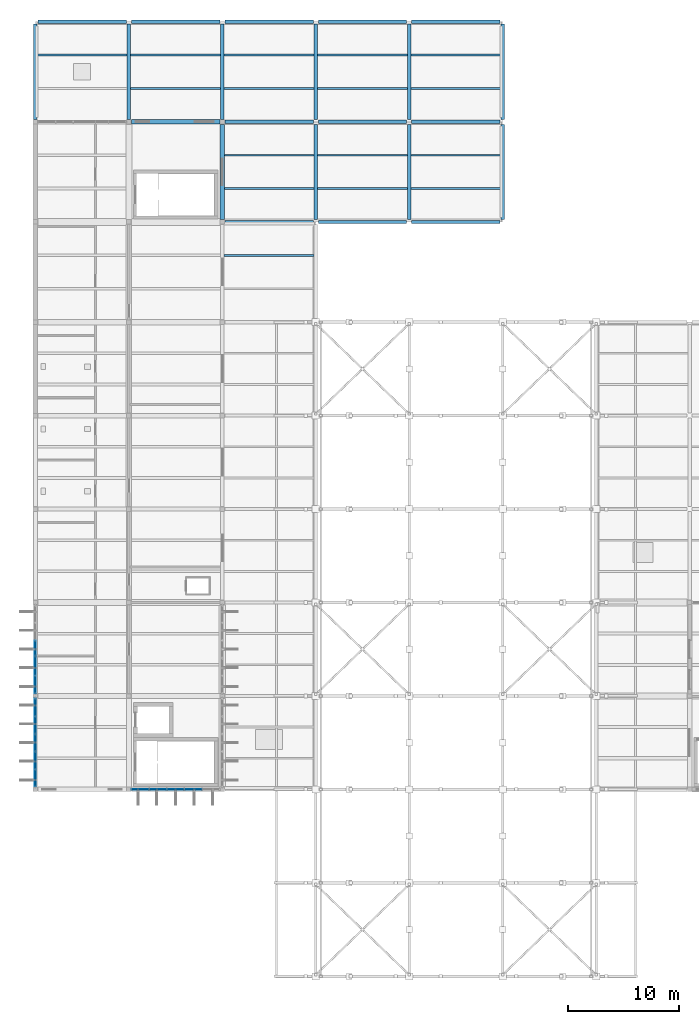
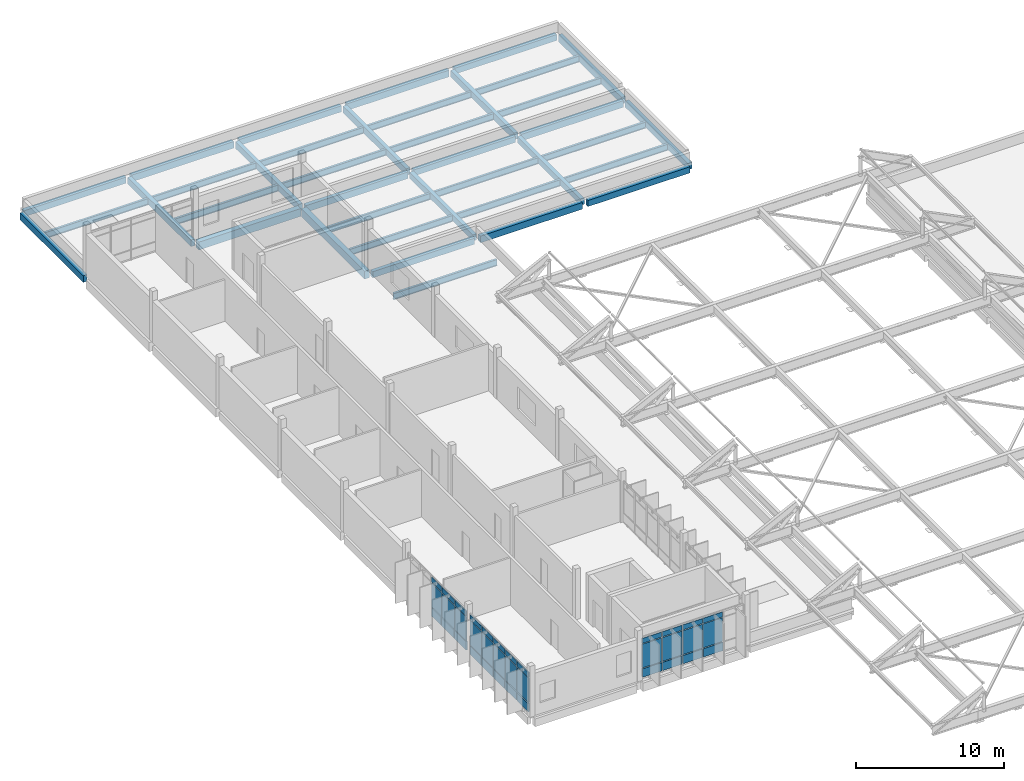
# One storey, part 25 of 41: 38 beams, 36 plates, 3 elements without a shape of their own.
"""IFC4 building model written with IfcOpenShell, lengths in metres."""

from ifc_helpers import new_model, si_unit, direction, frame, origin, origin_2d, place, context, subcontext, project, spatial, rectangle, i_section, extrude, material, layer, layer_set, material_profile, profile_set, type_object, element, aggregate, save


model = new_model("IFC4")

# Units and contexts
model_context = context("Model", 3, precision=1e-05, world=origin(), true_north=direction((0.0, 1.0)))
body_context = subcontext(model_context, "Body", "Model", "MODEL_VIEW")
ifc_project = project(units=[si_unit("LENGTHUNIT", "METRE"), si_unit("AREAUNIT", "SQUARE_METRE"), si_unit("VOLUMEUNIT", "CUBIC_METRE"), si_unit("PLANEANGLEUNIT", "RADIAN"), si_unit("MASSUNIT", "GRAM", prefix="KILO")], contexts=[model_context])

# Site, building, storey
site_placement = place(None, origin())
site = spatial("IfcSite", under=ifc_project, at=site_placement, CompositionType="ELEMENT")
building_placement = place(site_placement, origin())
building = spatial("IfcBuilding", under=site, at=building_placement, Name="Vireocrest Preparatory School", CompositionType="ELEMENT")
storey_placement = place(building_placement, frame((0.0, 0.0, 21.60009765625)))
storey = spatial("IfcBuildingStorey", under=building, at=storey_placement, Name="L05", CompositionType="ELEMENT", Elevation=21.60009765625)

# Beams
ifc_material_1 = material(Name="Structural steel ASTM A992 Grade 50", Category="steel")
ifc_material_profile_1 = material_profile(ifc_material_1, i_section(OverallWidth=0.166015625, OverallDepth=0.529052734375, WebThickness=0.009765625, FlangeThickness=0.013671875, FilletRadius=0.014892578125, at=origin_2d()), Name="W21X50")
ifc_profile_set_1 = profile_set([ifc_material_profile_1], Name="Structural steel ASTM A992 Grade 50")
beam_type_1 = type_object("IfcBeamType", Name="Pavilion Roof Joist W21X50", PredefinedType="JOIST", material=ifc_profile_set_1)
beam_1_placement = place(storey_placement, frame((42.14990234375, 109.800048828125, -0.484619140625), z_axis=(1.0, 0.0, 0.0), x_axis=(0.0, 1.0, 0.0)))
element("IfcBeam", 1, at=beam_1_placement, inside=storey, type_object=beam_type_1, Name="Secondary Joist SJ1 L05-1628", PredefinedType="JOIST", context=body_context, shape_type="SweptSolid", body=[
    extrude(i_section(OverallWidth=0.166015625, OverallDepth=0.529052734375, WebThickness=0.009765625, FlangeThickness=0.013671875, FilletRadius=0.014892578125, at=origin_2d()), origin(), (0.0, 0.0, 1.0), 8.10009765625),
])
for number, where, z_axis, x_axis, name in (
    (2, (50.550048828125, 106.800048828125, -0.484619140625), (1.0, 0.0, 0.0), (0.0, 1.0, 0.0), "Secondary Joist SJ1 L05-1639"),
    (3, (50.550048828125, 109.800048828125, -0.484619140625), (1.0, 0.0, 0.0), (0.0, 1.0, 0.0), "Secondary Joist SJ1 L05-1640"),
):
    element("IfcBeam", number, at=place(storey_placement, frame(where, z_axis=z_axis, x_axis=x_axis)), inside=storey, type_object=beam_type_1, Name=name, PredefinedType="JOIST", context=body_context, shape_type="SweptSolid", body=[
        extrude(i_section(OverallWidth=0.166015625, OverallDepth=0.529052734375, WebThickness=0.009765625, FlangeThickness=0.013671875, FilletRadius=0.014892578125, at=origin_2d()), origin(), (0.0, 0.0, 1.0), 8.099853515625),
    ])
beam_2_placement = place(storey_placement, frame((58.97509765625, 91.800048828125, -0.484619140625), z_axis=(1.0, 0.0, 0.0), x_axis=(0.0, 1.0, 0.0)))
element("IfcBeam", 4, at=beam_2_placement, inside=storey, type_object=beam_type_1, Name="Secondary Joist SJ1 L05-1652", PredefinedType="JOIST", context=body_context, shape_type="SweptSolid", body=[
    extrude(i_section(OverallWidth=0.166015625, OverallDepth=0.529052734375, WebThickness=0.009765625, FlangeThickness=0.013671875, FilletRadius=0.014892578125, at=origin_2d()), origin(), (0.0, 0.0, 1.0), 8.074951171875),
])
for number, where, z_axis, x_axis, name in (
    (5, (59.0, 97.800048828125, -0.484619140625), (1.0, 0.0, 0.0), (0.0, 1.0, 0.0), "Secondary Joist SJ1 L05-1653"),
    (6, (59.0, 100.800048828125, -0.484619140625), (1.0, 0.0, 0.0), (0.0, 1.0, 0.0), "Secondary Joist SJ1 L05-1654"),
):
    element("IfcBeam", number, at=place(storey_placement, frame(where, z_axis=z_axis, x_axis=x_axis)), inside=storey, type_object=beam_type_1, Name=name, PredefinedType="JOIST", context=body_context, shape_type="SweptSolid", body=[
        extrude(i_section(OverallWidth=0.166015625, OverallDepth=0.529052734375, WebThickness=0.009765625, FlangeThickness=0.013671875, FilletRadius=0.014892578125, at=origin_2d()), origin(), (0.0, 0.0, 1.0), 8.050048828125),
    ])
for number, where, z_axis, x_axis, name in (
    (7, (58.949951171875, 106.800048828125, -0.484619140625), (1.0, 0.0, 0.0), (0.0, 1.0, 0.0), "Secondary Joist SJ1 L05-1655"),
    (8, (58.949951171875, 109.800048828125, -0.484619140625), (1.0, 0.0, 0.0), (0.0, 1.0, 0.0), "Secondary Joist SJ1 L05-1656"),
):
    element("IfcBeam", number, at=place(storey_placement, frame(where, z_axis=z_axis, x_axis=x_axis)), inside=storey, type_object=beam_type_1, Name=name, PredefinedType="JOIST", context=body_context, shape_type="SweptSolid", body=[
        extrude(i_section(OverallWidth=0.166015625, OverallDepth=0.529052734375, WebThickness=0.009765625, FlangeThickness=0.013671875, FilletRadius=0.014892578125, at=origin_2d()), origin(), (0.0, 0.0, 1.0), 8.10009765625),
    ])
for number, where, z_axis, x_axis, name in (
    (9, (67.35009765625, 97.800048828125, -0.484619140625), (1.0, 0.0, 0.0), (0.0, 1.0, 0.0), "Secondary Joist SJ1 L05-1657"),
    (10, (67.35009765625, 100.800048828125, -0.484619140625), (1.0, 0.0, 0.0), (0.0, 1.0, 0.0), "Secondary Joist SJ1 L05-1658"),
    (11, (67.35009765625, 106.800048828125, -0.484619140625), (1.0, 0.0, 0.0), (0.0, 1.0, 0.0), "Secondary Joist SJ1 L05-1659"),
    (12, (67.35009765625, 109.800048828125, -0.484619140625), (1.0, 0.0, 0.0), (0.0, 1.0, 0.0), "Secondary Joist SJ1 L05-1660"),
):
    element("IfcBeam", number, at=place(storey_placement, frame(where, z_axis=z_axis, x_axis=x_axis)), inside=storey, type_object=beam_type_1, Name=name, PredefinedType="JOIST", context=body_context, shape_type="SweptSolid", body=[
        extrude(i_section(OverallWidth=0.166015625, OverallDepth=0.529052734375, WebThickness=0.009765625, FlangeThickness=0.013671875, FilletRadius=0.014892578125, at=origin_2d()), origin(), (0.0, 0.0, 1.0), 8.099853515625),
    ])
for number, where, z_axis, x_axis, name in (
    (13, (75.75, 97.800048828125, -0.484619140625), (1.0, 0.0, 0.0), (0.0, 1.0, 0.0), "Secondary Joist SJ1 L05-1661"),
    (14, (75.75, 100.800048828125, -0.484619140625), (1.0, 0.0, 0.0), (0.0, 1.0, 0.0), "Secondary Joist SJ1 L05-1662"),
    (15, (75.75, 106.800048828125, -0.484619140625), (1.0, 0.0, 0.0), (0.0, 1.0, 0.0), "Secondary Joist SJ1 L05-1663"),
    (16, (75.75, 109.800048828125, -0.484619140625), (1.0, 0.0, 0.0), (0.0, 1.0, 0.0), "Secondary Joist SJ1 L05-1664"),
):
    element("IfcBeam", number, at=place(storey_placement, frame(where, z_axis=z_axis, x_axis=x_axis)), inside=storey, type_object=beam_type_1, Name=name, PredefinedType="JOIST", context=body_context, shape_type="SweptSolid", body=[
        extrude(i_section(OverallWidth=0.166015625, OverallDepth=0.529052734375, WebThickness=0.009765625, FlangeThickness=0.013671875, FilletRadius=0.014892578125, at=origin_2d()), origin(), (0.0, 0.0, 1.0), 8.10009765625),
    ])
ifc_material_2 = material(Name="Concrete 40 MPa", Category="concrete")
ifc_material_profile_2 = material_profile(ifc_material_2, rectangle(XDim=0.39990234375, YDim=0.64990234375, at=origin_2d()), Name="RC 400x650")
ifc_profile_set_2 = profile_set([ifc_material_profile_2], Name="Concrete 40 MPa")
beam_type_2 = type_object("IfcBeamType", Name="RC Laboratory Girder 400x650", PredefinedType="BEAM", material=ifc_profile_set_2)
beam_3_placement = place(storey_placement, frame((50.625, 103.800048828125, -0.585205078125), z_axis=(1.0, 0.0, 0.0), x_axis=(0.0, 1.0, 0.0)))
element("IfcBeam", 17, at=beam_3_placement, inside=storey, type_object=beam_type_2, Name="Primary Girder B07 L05-1553", PredefinedType="BEAM", context=body_context, shape_type="SweptSolid", body=[
    extrude(rectangle(XDim=0.39990234375, YDim=0.64990234375, at=origin_2d()), origin(), (0.0, 0.0, 1.0), 7.949951171875),
])
beam_4_placement = place(storey_placement, frame((58.800048828125, 95.02490234375, -0.585205078125), z_axis=(0.0, 1.0, 0.0), x_axis=(-1.0, 0.0, 0.0)))
element("IfcBeam", 18, at=beam_4_placement, inside=storey, type_object=beam_type_2, Name="Primary Girder B07 L05-1584", PredefinedType="BEAM", context=body_context, shape_type="SweptSolid", body=[
    extrude(rectangle(XDim=0.39990234375, YDim=0.64990234375, at=origin_2d()), origin(), (0.0, 0.0, 1.0), 8.550048828125),
])
ifc_material_profile_3 = material_profile(ifc_material_2, rectangle(XDim=0.300048828125, YDim=0.5, at=origin_2d()), Name="RC 300x500")
ifc_profile_set_3 = profile_set([ifc_material_profile_3], Name="Concrete 40 MPa")
beam_type_3 = type_object("IfcBeamType", Name="RC Roof Edge Beam 300x500", PredefinedType="BEAM", material=ifc_profile_set_3)
beam_5_placement = place(storey_placement, frame((59.02490234375, 94.800048828125, -0.47021484375), z_axis=(1.0, 0.0, 0.0), x_axis=(0.0, 1.0, 0.0)))
element("IfcBeam", 19, at=beam_5_placement, inside=storey, type_object=beam_type_3, Name="Primary Girder B01 L05-1549", PredefinedType="BEAM", context=body_context, shape_type="SweptSolid", body=[
    extrude(rectangle(XDim=0.300048828125, YDim=0.5, at=origin_2d()), origin(), (0.0, 0.0, 1.0), 7.9501953125),
])
for number, where, z_axis, x_axis, name in (
    (20, (75.824951171875, 94.800048828125, -0.47021484375), (1.0, 0.0, 0.0), (0.0, 1.0, 0.0), "Primary Girder B01 L05-1551"),
    (21, (67.425048828125, 103.800048828125, -0.47021484375), (1.0, 0.0, 0.0), (0.0, 1.0, 0.0), "Primary Girder B01 L05-1555"),
    (22, (42.22509765625, 112.800048828125, -0.47021484375), (1.0, 0.0, 0.0), (0.0, 1.0, 0.0), "Primary Girder B01 L05-1557"),
):
    element("IfcBeam", number, at=place(storey_placement, frame(where, z_axis=z_axis, x_axis=x_axis)), inside=storey, type_object=beam_type_3, Name=name, PredefinedType="BEAM", context=body_context, shape_type="SweptSolid", body=[
        extrude(rectangle(XDim=0.300048828125, YDim=0.5, at=origin_2d()), origin(), (0.0, 0.0, 1.0), 7.949951171875),
    ])
beam_6_placement = place(storey_placement, frame((59.02490234375, 112.800048828125, -0.47021484375), z_axis=(1.0, 0.0, 0.0), x_axis=(0.0, 1.0, 0.0)))
element("IfcBeam", 23, at=beam_6_placement, inside=storey, type_object=beam_type_3, Name="Primary Girder B01 L05-1559", PredefinedType="BEAM", context=body_context, shape_type="SweptSolid", body=[
    extrude(rectangle(XDim=0.300048828125, YDim=0.5, at=origin_2d()), origin(), (0.0, 0.0, 1.0), 7.9501953125),
])
beam_7_placement = place(storey_placement, frame((75.824951171875, 112.800048828125, -0.47021484375), z_axis=(1.0, 0.0, 0.0), x_axis=(0.0, 1.0, 0.0)))
element("IfcBeam", 24, at=beam_7_placement, inside=storey, type_object=beam_type_3, Name="Primary Girder B01 L05-1561", PredefinedType="BEAM", context=body_context, shape_type="SweptSolid", body=[
    extrude(rectangle(XDim=0.300048828125, YDim=0.5, at=origin_2d()), origin(), (0.0, 0.0, 1.0), 7.949951171875),
])
for number, where, z_axis, x_axis, name in (
    (25, (67.199951171875, 95.02490234375, -0.47021484375), (0.0, 1.0, 0.0), (-1.0, 0.0, 0.0), "Primary Girder B01 L05-1592"),
    (26, (75.60009765625, 95.02490234375, -0.47021484375), (0.0, 1.0, 0.0), (-1.0, 0.0, 0.0), "Primary Girder B01 L05-1594"),
    (27, (84.0, 95.02490234375, -0.47021484375), (0.0, 1.0, 0.0), (-1.0, 0.0, 0.0), "Primary Girder B01 L05-1596"),
):
    element("IfcBeam", number, at=place(storey_placement, frame(where, z_axis=z_axis, x_axis=x_axis)), inside=storey, type_object=beam_type_3, Name=name, PredefinedType="BEAM", context=body_context, shape_type="SweptSolid", body=[
        extrude(rectangle(XDim=0.300048828125, YDim=0.5, at=origin_2d()), origin(), (0.0, 0.0, 1.0), 8.550048828125),
    ])
ifc_material_profile_4 = material_profile(ifc_material_2, rectangle(XDim=0.300048828125, YDim=0.550048828125, at=origin_2d()), Name="RC 300x550")
ifc_profile_set_4 = profile_set([ifc_material_profile_4], Name="Concrete 40 MPa")
beam_type_4 = type_object("IfcBeamType", Name="RC Roof Girder 300x550", PredefinedType="BEAM", material=ifc_profile_set_4)
beam_8_placement = place(storey_placement, frame((67.425048828125, 94.800048828125, -0.4951171875), z_axis=(1.0, 0.0, 0.0), x_axis=(0.0, 1.0, 0.0)))
element("IfcBeam", 28, at=beam_8_placement, inside=storey, type_object=beam_type_4, Name="Primary Girder B02 L05-1550", PredefinedType="BEAM", context=body_context, shape_type="SweptSolid", body=[
    extrude(rectangle(XDim=0.300048828125, YDim=0.550048828125, at=origin_2d()), origin(), (0.0, 0.0, 1.0), 7.949951171875),
])
beam_9_placement = place(storey_placement, frame((59.02490234375, 103.800048828125, -0.4951171875), z_axis=(1.0, 0.0, 0.0), x_axis=(0.0, 1.0, 0.0)))
element("IfcBeam", 29, at=beam_9_placement, inside=storey, type_object=beam_type_4, Name="Primary Girder B02 L05-1554", PredefinedType="BEAM", context=body_context, shape_type="SweptSolid", body=[
    extrude(rectangle(XDim=0.300048828125, YDim=0.550048828125, at=origin_2d()), origin(), (0.0, 0.0, 1.0), 7.9501953125),
])
for number, where, z_axis, x_axis, name in (
    (30, (75.824951171875, 103.800048828125, -0.4951171875), (1.0, 0.0, 0.0), (0.0, 1.0, 0.0), "Primary Girder B02 L05-1556"),
    (31, (50.625, 112.800048828125, -0.4951171875), (1.0, 0.0, 0.0), (0.0, 1.0, 0.0), "Primary Girder B02 L05-1558"),
    (32, (67.425048828125, 112.800048828125, -0.4951171875), (1.0, 0.0, 0.0), (0.0, 1.0, 0.0), "Primary Girder B02 L05-1560"),
):
    element("IfcBeam", number, at=place(storey_placement, frame(where, z_axis=z_axis, x_axis=x_axis)), inside=storey, type_object=beam_type_4, Name=name, PredefinedType="BEAM", context=body_context, shape_type="SweptSolid", body=[
        extrude(rectangle(XDim=0.300048828125, YDim=0.550048828125, at=origin_2d()), origin(), (0.0, 0.0, 1.0), 7.949951171875),
    ])
for number, where, z_axis, x_axis, name in (
    (33, (42.0, 104.02490234375, -0.4951171875), (0.0, 1.0, 0.0), (-1.0, 0.0, 0.0), "Primary Girder B02 L05-1569"),
    (34, (50.39990234375, 104.02490234375, -0.4951171875), (0.0, 1.0, 0.0), (-1.0, 0.0, 0.0), "Primary Girder B02 L05-1577"),
    (35, (58.800048828125, 104.02490234375, -0.4951171875), (0.0, 1.0, 0.0), (-1.0, 0.0, 0.0), "Primary Girder B02 L05-1585"),
    (36, (67.199951171875, 104.02490234375, -0.4951171875), (0.0, 1.0, 0.0), (-1.0, 0.0, 0.0), "Primary Girder B02 L05-1593"),
    (37, (75.60009765625, 104.02490234375, -0.4951171875), (0.0, 1.0, 0.0), (-1.0, 0.0, 0.0), "Primary Girder B02 L05-1595"),
    (38, (84.0, 104.02490234375, -0.4951171875), (0.0, 1.0, 0.0), (-1.0, 0.0, 0.0), "Primary Girder B02 L05-1597"),
):
    element("IfcBeam", number, at=place(storey_placement, frame(where, z_axis=z_axis, x_axis=x_axis)), inside=storey, type_object=beam_type_4, Name=name, PredefinedType="BEAM", context=body_context, shape_type="SweptSolid", body=[
        extrude(rectangle(XDim=0.300048828125, YDim=0.550048828125, at=origin_2d()), origin(), (0.0, 0.0, 1.0), 8.550048828125),
    ])

# Curtain wall, plates
ifc_material_3 = material(Name="Thermally broken aluminium EN AW-6063-T6", Category="aluminium")
ifc_layer_1 = layer(ifc_material_3, 0.179931640625)
ifc_layer_set_1 = layer_set([ifc_layer_1], Name="Thermally broken aluminium EN AW-6063-T6")
curtain_wall_type_1 = type_object("IfcCurtainWallType", Name="Side Facade Curtain Wall 9000x4200", PredefinedType="USERDEFINED", material=ifc_layer_set_1)
curtain_wall_1_placement = place(storey_placement, origin())
curtain_wall_1 = element("IfcCurtainWall", 39, at=curtain_wall_1_placement, inside=storey, type_object=curtain_wall_type_1, Name="Curtain Wall CW07 CW_L05_CW07_0506_0438_216", ObjectType="CURTAIN WALL", PredefinedType="USERDEFINED")
ifc_material_4 = material(Name="Insulated triple low-e tempered safety glass", Category="glass")
ifc_layer_2 = layer(ifc_material_4, 0.074951171875)
ifc_layer_set_2 = layer_set([ifc_layer_2], Name="Insulated triple low-e tempered safety glass")
plate_type_1 = type_object("IfcPlateType", Name="Acoustic Triple-Glazed Lab Curtain Panel 75", PredefinedType="CURTAIN_PANEL", material=ifc_layer_set_2)
plate_1_placement = place(storey_placement, frame((51.427978515625, 43.800048828125, 0.88232421875), z_axis=(0.0, 0.0, 1.0), x_axis=(1.0, 0.0, 0.0)))
plate_1 = element("IfcPlate", 40, at=plate_1_placement, type_object=plate_type_1, Name="CW Panel GL2 CW_L05_CW07_0506_0438_216-1-2", PredefinedType="CURTAIN_PANEL", context=body_context, shape_type="SweptSolid", body=[
    extrude(rectangle(XDim=1.52099609375, YDim=0.074951171875, at=origin_2d()), origin(), (0.0, 0.0, 1.0), 1.965087890625),
])
plate_2_placement = place(storey_placement, frame((51.427978515625, 43.800048828125, 2.91259765625), z_axis=(0.0, 0.0, 1.0), x_axis=(1.0, 0.0, 0.0)))
plate_2 = element("IfcPlate", 41, at=plate_2_placement, type_object=plate_type_1, Name="CW Panel GL2 CW_L05_CW07_0506_0438_216-1-3", PredefinedType="CURTAIN_PANEL", context=body_context, shape_type="SweptSolid", body=[
    extrude(rectangle(XDim=1.52099609375, YDim=0.074951171875, at=origin_2d()), origin(), (0.0, 0.0, 1.0), 0.409912109375),
])
plate_3_placement = place(storey_placement, frame((53.013916015625, 43.800048828125, 0.88232421875), z_axis=(0.0, 0.0, 1.0), x_axis=(1.0, 0.0, 0.0)))
plate_3 = element("IfcPlate", 42, at=plate_3_placement, type_object=plate_type_1, Name="CW Panel GL2 CW_L05_CW07_0506_0438_216-2-2", PredefinedType="CURTAIN_PANEL", context=body_context, shape_type="SweptSolid", body=[
    extrude(rectangle(XDim=1.52099609375, YDim=0.074951171875, at=origin_2d()), origin(), (0.0, 0.0, 1.0), 1.965087890625),
])
plate_4_placement = place(storey_placement, frame((53.013916015625, 43.800048828125, 2.91259765625), z_axis=(0.0, 0.0, 1.0), x_axis=(1.0, 0.0, 0.0)))
plate_4 = element("IfcPlate", 43, at=plate_4_placement, type_object=plate_type_1, Name="CW Panel GL2 CW_L05_CW07_0506_0438_216-2-3", PredefinedType="CURTAIN_PANEL", context=body_context, shape_type="SweptSolid", body=[
    extrude(rectangle(XDim=1.52099609375, YDim=0.074951171875, at=origin_2d()), origin(), (0.0, 0.0, 1.0), 0.409912109375),
])
plate_5_placement = place(storey_placement, frame((54.60009765625, 43.800048828125, 0.88232421875), z_axis=(0.0, 0.0, 1.0), x_axis=(1.0, 0.0, 0.0)))
plate_5 = element("IfcPlate", 44, at=plate_5_placement, type_object=plate_type_1, Name="CW Panel GL2 CW_L05_CW07_0506_0438_216-3-2", PredefinedType="CURTAIN_PANEL", context=body_context, shape_type="SweptSolid", body=[
    extrude(rectangle(XDim=1.52099609375, YDim=0.074951171875, at=origin_2d()), origin(), (0.0, 0.0, 1.0), 1.965087890625),
])
plate_6_placement = place(storey_placement, frame((54.60009765625, 43.800048828125, 2.91259765625), z_axis=(0.0, 0.0, 1.0), x_axis=(1.0, 0.0, 0.0)))
plate_6 = element("IfcPlate", 45, at=plate_6_placement, type_object=plate_type_1, Name="CW Panel GL2 CW_L05_CW07_0506_0438_216-3-3", PredefinedType="CURTAIN_PANEL", context=body_context, shape_type="SweptSolid", body=[
    extrude(rectangle(XDim=1.52099609375, YDim=0.074951171875, at=origin_2d()), origin(), (0.0, 0.0, 1.0), 0.409912109375),
])
plate_7_placement = place(storey_placement, frame((56.18603515625, 43.800048828125, 0.88232421875), z_axis=(0.0, 0.0, 1.0), x_axis=(1.0, 0.0, 0.0)))
plate_7 = element("IfcPlate", 46, at=plate_7_placement, type_object=plate_type_1, Name="CW Panel GL2 CW_L05_CW07_0506_0438_216-4-2", PredefinedType="CURTAIN_PANEL", context=body_context, shape_type="SweptSolid", body=[
    extrude(rectangle(XDim=1.52099609375, YDim=0.074951171875, at=origin_2d()), origin(), (0.0, 0.0, 1.0), 1.965087890625),
])
plate_8_placement = place(storey_placement, frame((56.18603515625, 43.800048828125, 2.91259765625), z_axis=(0.0, 0.0, 1.0), x_axis=(1.0, 0.0, 0.0)))
plate_8 = element("IfcPlate", 47, at=plate_8_placement, type_object=plate_type_1, Name="CW Panel GL2 CW_L05_CW07_0506_0438_216-4-3", PredefinedType="CURTAIN_PANEL", context=body_context, shape_type="SweptSolid", body=[
    extrude(rectangle(XDim=1.52099609375, YDim=0.074951171875, at=origin_2d()), origin(), (0.0, 0.0, 1.0), 0.409912109375),
])

ifc_layer_3 = layer(ifc_material_3, 0.179931640625)
ifc_layer_set_3 = layer_set([ifc_layer_3], Name="Thermally broken aluminium EN AW-6063-T6")
curtain_wall_type_2 = type_object("IfcCurtainWallType", Name="Teaching Fin Curtain Wall 8400x4200", PredefinedType="USERDEFINED", material=ifc_layer_set_3)
curtain_wall_2_placement = place(storey_placement, origin())
curtain_wall_2 = element("IfcCurtainWall", 48, at=curtain_wall_2_placement, inside=storey, type_object=curtain_wall_type_2, Name="Curtain Wall CW03 CW_L05_CW03_0420_0440_216", ObjectType="CURTAIN WALL", PredefinedType="USERDEFINED")
plate_9_placement = place(storey_placement, frame((42.0, 44.827880859375, 0.88232421875), z_axis=(0.0, 0.0, 1.0), x_axis=(0.0, 1.0, 0.0)))
plate_9 = element("IfcPlate", 49, at=plate_9_placement, type_object=plate_type_1, Name="CW Panel GL2 CW_L05_CW03_0420_0440_216-1-2", PredefinedType="CURTAIN_PANEL", context=body_context, shape_type="SweptSolid", body=[
    extrude(rectangle(XDim=1.52099609375, YDim=0.074951171875, at=origin_2d()), origin(), (0.0, 0.0, 1.0), 2.014892578125),
])
plate_10_placement = place(storey_placement, frame((42.0, 44.827880859375, 2.96240234375), z_axis=(0.0, 0.0, 1.0), x_axis=(0.0, 1.0, 0.0)))
plate_10 = element("IfcPlate", 50, at=plate_10_placement, type_object=plate_type_1, Name="CW Panel GL2 CW_L05_CW03_0420_0440_216-1-3", PredefinedType="CURTAIN_PANEL", context=body_context, shape_type="SweptSolid", body=[
    extrude(rectangle(XDim=1.52099609375, YDim=0.074951171875, at=origin_2d()), origin(), (0.0, 0.0, 1.0), 0.409912109375),
])
plate_11_placement = place(storey_placement, frame((42.0, 46.4140625, 0.88232421875), z_axis=(0.0, 0.0, 1.0), x_axis=(0.0, 1.0, 0.0)))
plate_11 = element("IfcPlate", 51, at=plate_11_placement, type_object=plate_type_1, Name="CW Panel GL2 CW_L05_CW03_0420_0440_216-2-2", PredefinedType="CURTAIN_PANEL", context=body_context, shape_type="SweptSolid", body=[
    extrude(rectangle(XDim=1.52099609375, YDim=0.074951171875, at=origin_2d()), origin(), (0.0, 0.0, 1.0), 2.014892578125),
])
plate_12_placement = place(storey_placement, frame((42.0, 46.4140625, 2.96240234375), z_axis=(0.0, 0.0, 1.0), x_axis=(0.0, 1.0, 0.0)))
plate_12 = element("IfcPlate", 52, at=plate_12_placement, type_object=plate_type_1, Name="CW Panel GL2 CW_L05_CW03_0420_0440_216-2-3", PredefinedType="CURTAIN_PANEL", context=body_context, shape_type="SweptSolid", body=[
    extrude(rectangle(XDim=1.52099609375, YDim=0.074951171875, at=origin_2d()), origin(), (0.0, 0.0, 1.0), 0.409912109375),
])
plate_13_placement = place(storey_placement, frame((42.0, 48.0, 0.88232421875), z_axis=(0.0, 0.0, 1.0), x_axis=(0.0, 1.0, 0.0)))
plate_13 = element("IfcPlate", 53, at=plate_13_placement, type_object=plate_type_1, Name="CW Panel GL2 CW_L05_CW03_0420_0440_216-3-2", PredefinedType="CURTAIN_PANEL", context=body_context, shape_type="SweptSolid", body=[
    extrude(rectangle(XDim=1.52099609375, YDim=0.074951171875, at=origin_2d()), origin(), (0.0, 0.0, 1.0), 2.014892578125),
])
plate_14_placement = place(storey_placement, frame((42.0, 48.0, 2.96240234375), z_axis=(0.0, 0.0, 1.0), x_axis=(0.0, 1.0, 0.0)))
plate_14 = element("IfcPlate", 54, at=plate_14_placement, type_object=plate_type_1, Name="CW Panel GL2 CW_L05_CW03_0420_0440_216-3-3", PredefinedType="CURTAIN_PANEL", context=body_context, shape_type="SweptSolid", body=[
    extrude(rectangle(XDim=1.52099609375, YDim=0.074951171875, at=origin_2d()), origin(), (0.0, 0.0, 1.0), 0.409912109375),
])
plate_15_placement = place(storey_placement, frame((42.0, 49.5859375, 0.88232421875), z_axis=(0.0, 0.0, 1.0), x_axis=(0.0, 1.0, 0.0)))
plate_15 = element("IfcPlate", 55, at=plate_15_placement, type_object=plate_type_1, Name="CW Panel GL2 CW_L05_CW03_0420_0440_216-4-2", PredefinedType="CURTAIN_PANEL", context=body_context, shape_type="SweptSolid", body=[
    extrude(rectangle(XDim=1.52099609375, YDim=0.074951171875, at=origin_2d()), origin(), (0.0, 0.0, 1.0), 2.014892578125),
])
plate_16_placement = place(storey_placement, frame((42.0, 49.5859375, 2.96240234375), z_axis=(0.0, 0.0, 1.0), x_axis=(0.0, 1.0, 0.0)))
plate_16 = element("IfcPlate", 56, at=plate_16_placement, type_object=plate_type_1, Name="CW Panel GL2 CW_L05_CW03_0420_0440_216-4-3", PredefinedType="CURTAIN_PANEL", context=body_context, shape_type="SweptSolid", body=[
    extrude(rectangle(XDim=1.52099609375, YDim=0.074951171875, at=origin_2d()), origin(), (0.0, 0.0, 1.0), 0.409912109375),
])
plate_17_placement = place(storey_placement, frame((42.0, 51.172119140625, 0.88232421875), z_axis=(0.0, 0.0, 1.0), x_axis=(0.0, 1.0, 0.0)))
plate_17 = element("IfcPlate", 57, at=plate_17_placement, type_object=plate_type_1, Name="CW Panel GL2 CW_L05_CW03_0420_0440_216-5-2", PredefinedType="CURTAIN_PANEL", context=body_context, shape_type="SweptSolid", body=[
    extrude(rectangle(XDim=1.52099609375, YDim=0.074951171875, at=origin_2d()), origin(), (0.0, 0.0, 1.0), 2.014892578125),
])
plate_18_placement = place(storey_placement, frame((42.0, 51.172119140625, 2.96240234375), z_axis=(0.0, 0.0, 1.0), x_axis=(0.0, 1.0, 0.0)))
plate_18 = element("IfcPlate", 58, at=plate_18_placement, type_object=plate_type_1, Name="CW Panel GL2 CW_L05_CW03_0420_0440_216-5-3", PredefinedType="CURTAIN_PANEL", context=body_context, shape_type="SweptSolid", body=[
    extrude(rectangle(XDim=1.52099609375, YDim=0.074951171875, at=origin_2d()), origin(), (0.0, 0.0, 1.0), 0.409912109375),
])

curtain_wall_3_placement = place(storey_placement, origin())
curtain_wall_3 = element("IfcCurtainWall", 59, at=curtain_wall_3_placement, inside=storey, type_object=curtain_wall_type_2, Name="Curtain Wall CW03 CW_L05_CW03_0420_0524_216", ObjectType="CURTAIN WALL", PredefinedType="USERDEFINED")
plate_19_placement = place(storey_placement, frame((42.0, 53.22802734375, 0.88232421875), z_axis=(0.0, 0.0, 1.0), x_axis=(0.0, 1.0, 0.0)))
plate_19 = element("IfcPlate", 60, at=plate_19_placement, type_object=plate_type_1, Name="CW Panel GL2 CW_L05_CW03_0420_0524_216-1-2", PredefinedType="CURTAIN_PANEL", context=body_context, shape_type="SweptSolid", body=[
    extrude(rectangle(XDim=1.52099609375, YDim=0.074951171875, at=origin_2d()), origin(), (0.0, 0.0, 1.0), 1.965087890625),
])
plate_20_placement = place(storey_placement, frame((42.0, 53.22802734375, 2.91259765625), z_axis=(0.0, 0.0, 1.0), x_axis=(0.0, 1.0, 0.0)))
plate_20 = element("IfcPlate", 61, at=plate_20_placement, type_object=plate_type_1, Name="CW Panel GL2 CW_L05_CW03_0420_0524_216-1-3", PredefinedType="CURTAIN_PANEL", context=body_context, shape_type="SweptSolid", body=[
    extrude(rectangle(XDim=1.52099609375, YDim=0.074951171875, at=origin_2d()), origin(), (0.0, 0.0, 1.0), 0.409912109375),
])
plate_21_placement = place(storey_placement, frame((42.0, 54.910400390625, 0.88232421875), z_axis=(0.0, 0.0, 1.0), x_axis=(0.0, 1.0, 0.0)))
plate_21 = element("IfcPlate", 62, at=plate_21_placement, type_object=plate_type_1, Name="CW Panel GL2 CW_L05_CW03_0420_0524_216-2-2", PredefinedType="CURTAIN_PANEL", context=body_context, shape_type="SweptSolid", body=[
    extrude(rectangle(XDim=1.714111328125, YDim=0.074951171875, at=origin_2d()), origin(), (0.0, 0.0, 1.0), 1.965087890625),
])
plate_22_placement = place(storey_placement, frame((42.0, 54.910400390625, 2.91259765625), z_axis=(0.0, 0.0, 1.0), x_axis=(0.0, 1.0, 0.0)))
plate_22 = element("IfcPlate", 63, at=plate_22_placement, type_object=plate_type_1, Name="CW Panel GL2 CW_L05_CW03_0420_0524_216-2-3", PredefinedType="CURTAIN_PANEL", context=body_context, shape_type="SweptSolid", body=[
    extrude(rectangle(XDim=1.714111328125, YDim=0.074951171875, at=origin_2d()), origin(), (0.0, 0.0, 1.0), 0.409912109375),
])
plate_23_placement = place(storey_placement, frame((42.0, 56.49658203125, 0.88232421875), z_axis=(0.0, 0.0, 1.0), x_axis=(0.0, 1.0, 0.0)))
plate_23 = element("IfcPlate", 64, at=plate_23_placement, type_object=plate_type_1, Name="CW Panel GL2 CW_L05_CW03_0420_0524_216-3-2", PredefinedType="CURTAIN_PANEL", context=body_context, shape_type="SweptSolid", body=[
    extrude(rectangle(XDim=1.327880859375, YDim=0.074951171875, at=origin_2d()), origin(), (0.0, 0.0, 1.0), 1.965087890625),
])
plate_24_placement = place(storey_placement, frame((42.0, 56.49658203125, 2.91259765625), z_axis=(0.0, 0.0, 1.0), x_axis=(0.0, 1.0, 0.0)))
plate_24 = element("IfcPlate", 65, at=plate_24_placement, type_object=plate_type_1, Name="CW Panel GL2 CW_L05_CW03_0420_0524_216-3-3", PredefinedType="CURTAIN_PANEL", context=body_context, shape_type="SweptSolid", body=[
    extrude(rectangle(XDim=1.327880859375, YDim=0.074951171875, at=origin_2d()), origin(), (0.0, 0.0, 1.0), 0.409912109375),
])

# Plate
ifc_material_5 = material(Name="Painted white aluminium cladding EN AW-6063-T6", Category="aluminium")
ifc_layer_4 = layer(ifc_material_5, 0.114990234375)
ifc_layer_set_4 = layer_set([ifc_layer_4], Name="Painted white aluminium cladding EN AW-6063-T6")
plate_type_2 = type_object("IfcPlateType", Name="Insulated White Spandrel Curtain Panel 115", PredefinedType="CURTAIN_PANEL", material=ifc_layer_set_4)
plate_25_placement = place(storey_placement, frame((51.427978515625, 43.800048828125, 0.12744140625), z_axis=(0.0, 0.0, 1.0), x_axis=(1.0, 0.0, 0.0)))
plate_25 = element("IfcPlate", 66, at=plate_25_placement, type_object=plate_type_2, Name="CW Panel SP2 CW_L05_CW07_0506_0438_216-1-1", PredefinedType="CURTAIN_PANEL", context=body_context, shape_type="SweptSolid", body=[
    extrude(rectangle(XDim=1.52099609375, YDim=0.114990234375, at=origin_2d()), origin(), (0.0, 0.0, 1.0), 0.68994140625),
])

plate_26_placement = place(storey_placement, frame((53.013916015625, 43.800048828125, 0.12744140625), z_axis=(0.0, 0.0, 1.0), x_axis=(1.0, 0.0, 0.0)))
plate_26 = element("IfcPlate", 67, at=plate_26_placement, type_object=plate_type_2, Name="CW Panel SP2 CW_L05_CW07_0506_0438_216-2-1", PredefinedType="CURTAIN_PANEL", context=body_context, shape_type="SweptSolid", body=[
    extrude(rectangle(XDim=1.52099609375, YDim=0.114990234375, at=origin_2d()), origin(), (0.0, 0.0, 1.0), 0.68994140625),
])

plate_27_placement = place(storey_placement, frame((54.60009765625, 43.800048828125, 0.12744140625), z_axis=(0.0, 0.0, 1.0), x_axis=(1.0, 0.0, 0.0)))
plate_27 = element("IfcPlate", 68, at=plate_27_placement, type_object=plate_type_2, Name="CW Panel SP2 CW_L05_CW07_0506_0438_216-3-1", PredefinedType="CURTAIN_PANEL", context=body_context, shape_type="SweptSolid", body=[
    extrude(rectangle(XDim=1.52099609375, YDim=0.114990234375, at=origin_2d()), origin(), (0.0, 0.0, 1.0), 0.68994140625),
])

plate_28_placement = place(storey_placement, frame((56.18603515625, 43.800048828125, 0.12744140625), z_axis=(0.0, 0.0, 1.0), x_axis=(1.0, 0.0, 0.0)))
plate_28 = element("IfcPlate", 69, at=plate_28_placement, type_object=plate_type_2, Name="CW Panel SP2 CW_L05_CW07_0506_0438_216-4-1", PredefinedType="CURTAIN_PANEL", context=body_context, shape_type="SweptSolid", body=[
    extrude(rectangle(XDim=1.52099609375, YDim=0.114990234375, at=origin_2d()), origin(), (0.0, 0.0, 1.0), 0.68994140625),
])

aggregate(curtain_wall_1, [plate_25, plate_1, plate_2, plate_26, plate_3, plate_4, plate_27, plate_5, plate_6, plate_28, plate_7, plate_8])

plate_29_placement = place(storey_placement, frame((42.0, 44.827880859375, 0.12744140625), z_axis=(0.0, 0.0, 1.0), x_axis=(0.0, 1.0, 0.0)))
plate_29 = element("IfcPlate", 70, at=plate_29_placement, type_object=plate_type_2, Name="CW Panel SP2 CW_L05_CW03_0420_0440_216-1-1", PredefinedType="CURTAIN_PANEL", context=body_context, shape_type="SweptSolid", body=[
    extrude(rectangle(XDim=1.52099609375, YDim=0.114990234375, at=origin_2d()), origin(), (0.0, 0.0, 1.0), 0.68994140625),
])

plate_30_placement = place(storey_placement, frame((42.0, 46.4140625, 0.12744140625), z_axis=(0.0, 0.0, 1.0), x_axis=(0.0, 1.0, 0.0)))
plate_30 = element("IfcPlate", 71, at=plate_30_placement, type_object=plate_type_2, Name="CW Panel SP2 CW_L05_CW03_0420_0440_216-2-1", PredefinedType="CURTAIN_PANEL", context=body_context, shape_type="SweptSolid", body=[
    extrude(rectangle(XDim=1.52099609375, YDim=0.114990234375, at=origin_2d()), origin(), (0.0, 0.0, 1.0), 0.68994140625),
])

plate_31_placement = place(storey_placement, frame((42.0, 48.0, 0.12744140625), z_axis=(0.0, 0.0, 1.0), x_axis=(0.0, 1.0, 0.0)))
plate_31 = element("IfcPlate", 72, at=plate_31_placement, type_object=plate_type_2, Name="CW Panel SP2 CW_L05_CW03_0420_0440_216-3-1", PredefinedType="CURTAIN_PANEL", context=body_context, shape_type="SweptSolid", body=[
    extrude(rectangle(XDim=1.52099609375, YDim=0.114990234375, at=origin_2d()), origin(), (0.0, 0.0, 1.0), 0.68994140625),
])

plate_32_placement = place(storey_placement, frame((42.0, 49.5859375, 0.12744140625), z_axis=(0.0, 0.0, 1.0), x_axis=(0.0, 1.0, 0.0)))
plate_32 = element("IfcPlate", 73, at=plate_32_placement, type_object=plate_type_2, Name="CW Panel SP2 CW_L05_CW03_0420_0440_216-4-1", PredefinedType="CURTAIN_PANEL", context=body_context, shape_type="SweptSolid", body=[
    extrude(rectangle(XDim=1.52099609375, YDim=0.114990234375, at=origin_2d()), origin(), (0.0, 0.0, 1.0), 0.68994140625),
])

plate_33_placement = place(storey_placement, frame((42.0, 51.172119140625, 0.12744140625), z_axis=(0.0, 0.0, 1.0), x_axis=(0.0, 1.0, 0.0)))
plate_33 = element("IfcPlate", 74, at=plate_33_placement, type_object=plate_type_2, Name="CW Panel SP2 CW_L05_CW03_0420_0440_216-5-1", PredefinedType="CURTAIN_PANEL", context=body_context, shape_type="SweptSolid", body=[
    extrude(rectangle(XDim=1.52099609375, YDim=0.114990234375, at=origin_2d()), origin(), (0.0, 0.0, 1.0), 0.68994140625),
])

aggregate(curtain_wall_2, [plate_29, plate_9, plate_10, plate_30, plate_11, plate_12, plate_31, plate_13, plate_14, plate_32, plate_15, plate_16, plate_33, plate_17, plate_18])

plate_34_placement = place(storey_placement, frame((42.0, 53.22802734375, 0.12744140625), z_axis=(0.0, 0.0, 1.0), x_axis=(0.0, 1.0, 0.0)))
plate_34 = element("IfcPlate", 75, at=plate_34_placement, type_object=plate_type_2, Name="CW Panel SP2 CW_L05_CW03_0420_0524_216-1-1", PredefinedType="CURTAIN_PANEL", context=body_context, shape_type="SweptSolid", body=[
    extrude(rectangle(XDim=1.52099609375, YDim=0.114990234375, at=origin_2d()), origin(), (0.0, 0.0, 1.0), 0.68994140625),
])

plate_35_placement = place(storey_placement, frame((42.0, 54.910400390625, 0.12744140625), z_axis=(0.0, 0.0, 1.0), x_axis=(0.0, 1.0, 0.0)))
plate_35 = element("IfcPlate", 76, at=plate_35_placement, type_object=plate_type_2, Name="CW Panel SP2 CW_L05_CW03_0420_0524_216-2-1", PredefinedType="CURTAIN_PANEL", context=body_context, shape_type="SweptSolid", body=[
    extrude(rectangle(XDim=1.714111328125, YDim=0.114990234375, at=origin_2d()), origin(), (0.0, 0.0, 1.0), 0.68994140625),
])

plate_36_placement = place(storey_placement, frame((42.0, 56.49658203125, 0.12744140625), z_axis=(0.0, 0.0, 1.0), x_axis=(0.0, 1.0, 0.0)))
plate_36 = element("IfcPlate", 77, at=plate_36_placement, type_object=plate_type_2, Name="CW Panel SP2 CW_L05_CW03_0420_0524_216-3-1", PredefinedType="CURTAIN_PANEL", context=body_context, shape_type="SweptSolid", body=[
    extrude(rectangle(XDim=1.327880859375, YDim=0.114990234375, at=origin_2d()), origin(), (0.0, 0.0, 1.0), 0.68994140625),
])

aggregate(curtain_wall_3, [plate_34, plate_19, plate_20, plate_35, plate_21, plate_22, plate_36, plate_23, plate_24])

save(model, "model.ifc")
